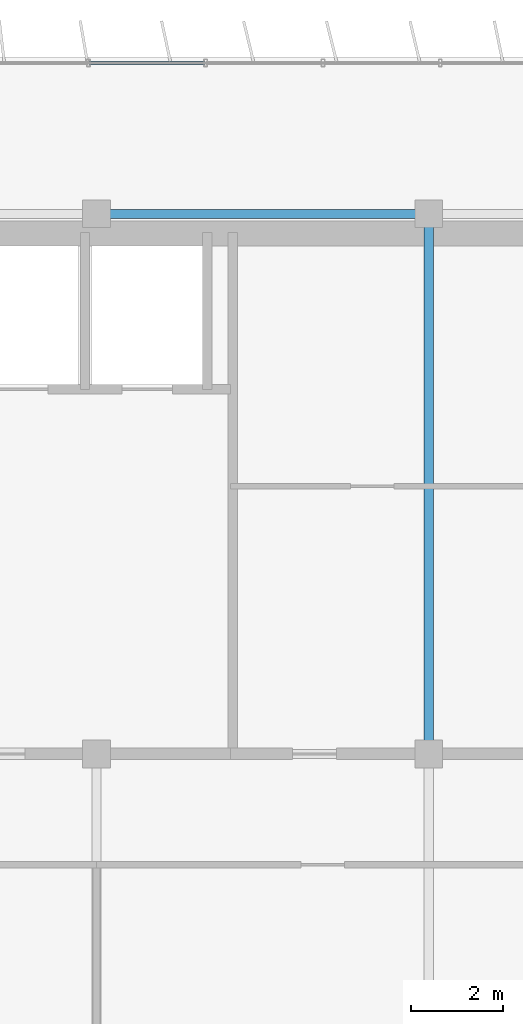
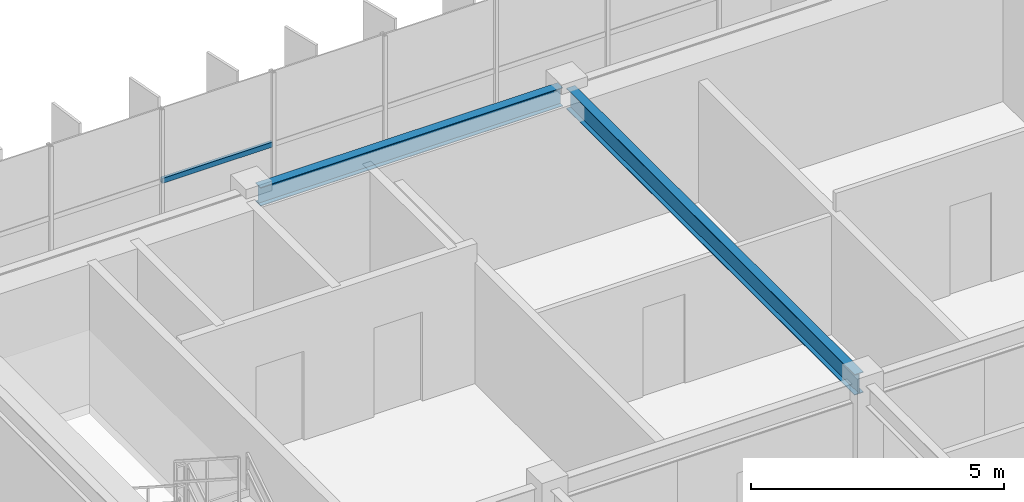
# One storey, part 7 of 22: 2 beams, 1 member, 1 element without a shape of its own.
"""IFC4 building model written with IfcOpenShell, lengths in metres."""

from ifc_helpers import new_model, si_unit, direction, frame, origin, origin_2d, place, context, subcontext, project, spatial, hollow_rectangle, i_section, extrude, source, transform, mapped, material, material_profile, profile_set, type_object, element, aggregate, save


model = new_model("IFC4")

# Units and contexts
model_context = context("Model", 3, precision=1e-05, world=origin(), true_north=direction((0.0, 1.0)))
body_context = subcontext(model_context, "Body", "Model", "MODEL_VIEW")
ifc_project = project(units=[si_unit("LENGTHUNIT", "METRE"), si_unit("AREAUNIT", "SQUARE_METRE"), si_unit("VOLUMEUNIT", "CUBIC_METRE"), si_unit("PLANEANGLEUNIT", "RADIAN"), si_unit("MASSUNIT", "GRAM", prefix="KILO")], contexts=[model_context])

# Site, building, storey
site_placement = place(None, origin())
site = spatial("IfcSite", under=ifc_project, at=site_placement, CompositionType="ELEMENT")
building_placement = place(site_placement, origin())
building = spatial("IfcBuilding", under=site, at=building_placement, Name="Trelvane Seafront Commons", CompositionType="ELEMENT")
storey_placement = place(building_placement, frame((0.0, 0.0, 288.300048828125)))
storey = spatial("IfcBuildingStorey", under=building, at=storey_placement, Name="L75", CompositionType="ELEMENT", Elevation=288.300048828125)

# Beams
ifc_material_1 = material(Name="Steel SM355 (S355)", Category="steel")
ifc_material_profile_1 = material_profile(ifc_material_1, i_section(OverallWidth=0.199951171875, OverallDepth=0.5, WebThickness=0.010009765625, FlangeThickness=0.01611328125, at=origin_2d()), Name="H-500x200x10x16")
ifc_profile_set_1 = profile_set([ifc_material_profile_1], Name="Steel SM355 (S355)")
beam_type_1 = type_object("IfcBeamType", Name="STR-BM-H500", PredefinedType="BEAM", material=ifc_profile_set_1)
shared_shape_1 = source(origin(), body_context, "Body", "SweptSolid", [
    extrude(i_section(OverallWidth=0.199951171875, OverallDepth=0.5, WebThickness=0.010009765625, FlangeThickness=0.01611328125, at=origin_2d()), origin(), (0.0, 0.0, 1.0), 11.39990234375),
])
beam_1_placement = place(storey_placement, frame((30.60009765625, 33.550048828125, 3.119873046875), z_axis=(0.0, 1.0, 0.0), x_axis=(-1.0, 0.0, 0.0)))
element("IfcBeam", 1, at=beam_1_placement, inside=storey, type_object=beam_type_1, Name="L75 Primary Girder G-40", PredefinedType="BEAM", context=body_context, shape_type="MappedRepresentation", body=[
    mapped(shared_shape_1, transform((0.0, 0.0, 0.0), x_axis=(1.0, 0.0, 0.0), y_axis=(0.0, 1.0, 0.0), z_axis=(0.0, 0.0, 1.0), scale=1.0)),
])
ifc_material_profile_2 = material_profile(ifc_material_1, i_section(OverallWidth=0.199951171875, OverallDepth=0.449951171875, WebThickness=0.009033203125, FlangeThickness=0.013916015625, at=origin_2d()), Name="H-450x200x9x14")
ifc_profile_set_2 = profile_set([ifc_material_profile_2], Name="Steel SM355 (S355)")
beam_type_2 = type_object("IfcBeamType", Name="STR-SPD-H450", PredefinedType="SPANDREL", material=ifc_profile_set_2)
shared_shape_2 = source(origin(), body_context, "Body", "SweptSolid", [
    extrude(i_section(OverallWidth=0.199951171875, OverallDepth=0.449951171875, WebThickness=0.009033203125, FlangeThickness=0.013916015625, at=origin_2d()), origin(), (0.0, 0.0, 1.0), 6.89990234375),
])
beam_2_placement = place(storey_placement, frame((23.550048828125, 45.10009765625, 3.14501953125), z_axis=(1.0, 0.0, 0.0), x_axis=(0.0, 1.0, 0.0)))
element("IfcBeam", 2, at=beam_2_placement, inside=storey, type_object=beam_type_2, Name="L75 Primary Girder G-24", PredefinedType="SPANDREL", context=body_context, shape_type="MappedRepresentation", body=[
    mapped(shared_shape_2, transform((0.0, 0.0, 0.0), x_axis=(1.0, 0.0, 0.0), y_axis=(0.0, 1.0, 0.0), z_axis=(0.0, 0.0, 1.0), scale=1.0)),
])

# Curtain wall, member
ifc_material_2 = material(Name="Anodised pale-silver aluminium", Category="aluminium")
curtain_wall_type = type_object("IfcCurtainWallType", Name="ARCH-CW5-UPTOWER", PredefinedType="NOTDEFINED", material=ifc_material_2)
curtain_wall_placement = place(storey_placement, origin())
curtain_wall = element("IfcCurtainWall", 3, at=curtain_wall_placement, inside=storey, type_object=curtain_wall_type, Name="CW-L75-0119", PredefinedType="NOTDEFINED")
ifc_material_profile_3 = material_profile(ifc_material_2, hollow_rectangle(XDim=0.070068359375, YDim=0.1201171875, WallThickness=0.00390625, at=origin_2d()), Name="TRAN-70x120x4")
ifc_profile_set_3 = profile_set([ifc_material_profile_3], Name="Anodised pale-silver aluminium")
member_type = type_object("IfcMemberType", Name="ARCH-CW-TRAN-120", PredefinedType="USERDEFINED", material=ifc_profile_set_3)
shared_shape_3 = source(origin(), body_context, "Body", "SweptSolid", [
    extrude(hollow_rectangle(XDim=0.070068359375, YDim=0.1201171875, WallThickness=0.00390625, at=origin_2d()), origin(), (0.0, 0.0, 1.0), 2.51708984375),
])
member_placement = place(storey_placement, frame((23.235595703125, 48.3701171875, 1.617919921875), z_axis=(1.0, 0.0, 0.0), x_axis=(0.0, 1.0, 0.0)))
member = element("IfcMember", 4, at=member_placement, type_object=member_type, Name="CW-L75-0119-T03", ObjectType="TRANSOM", PredefinedType="USERDEFINED", context=body_context, shape_type="MappedRepresentation", body=[
    mapped(shared_shape_3, transform((0.0, 0.0, 0.0), x_axis=(1.0, 0.0, 0.0), y_axis=(0.0, 1.0, 0.0), z_axis=(0.0, 0.0, 1.0), scale=1.0)),
])
aggregate(curtain_wall, [member])

save(model, "model.ifc")
